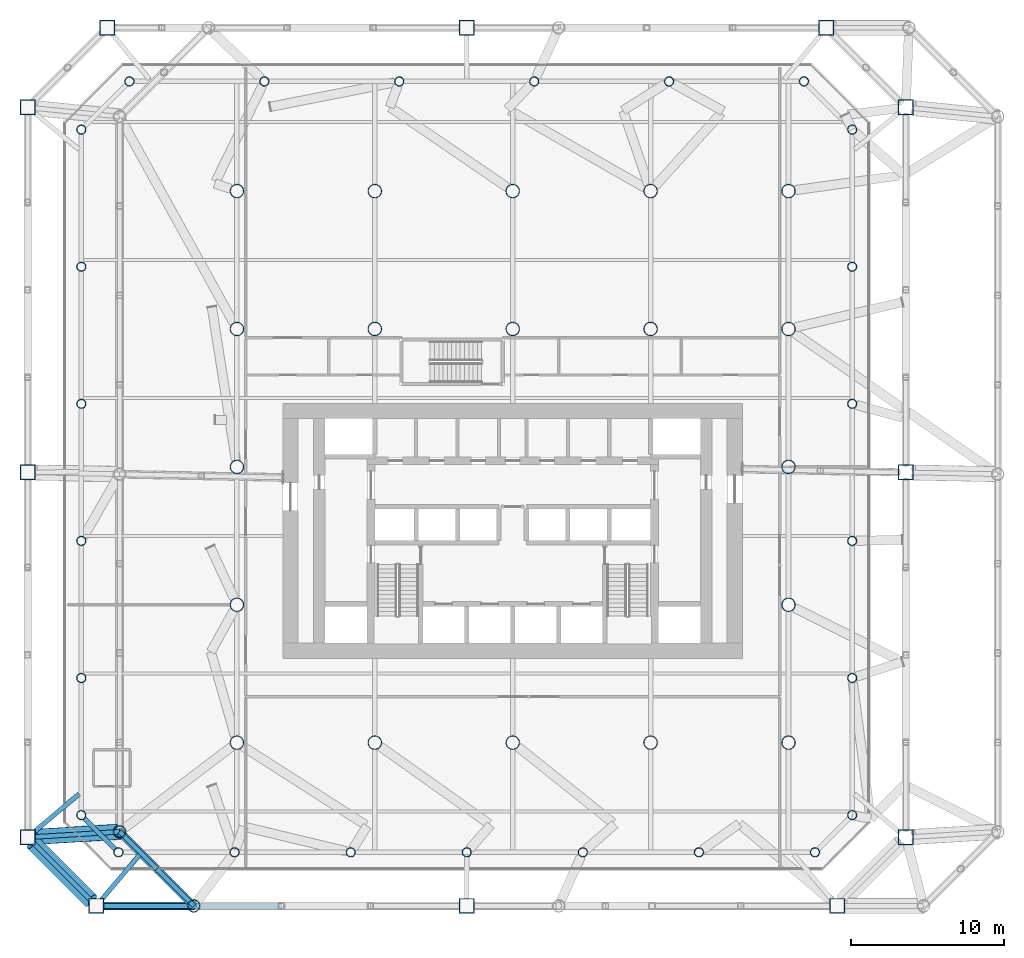
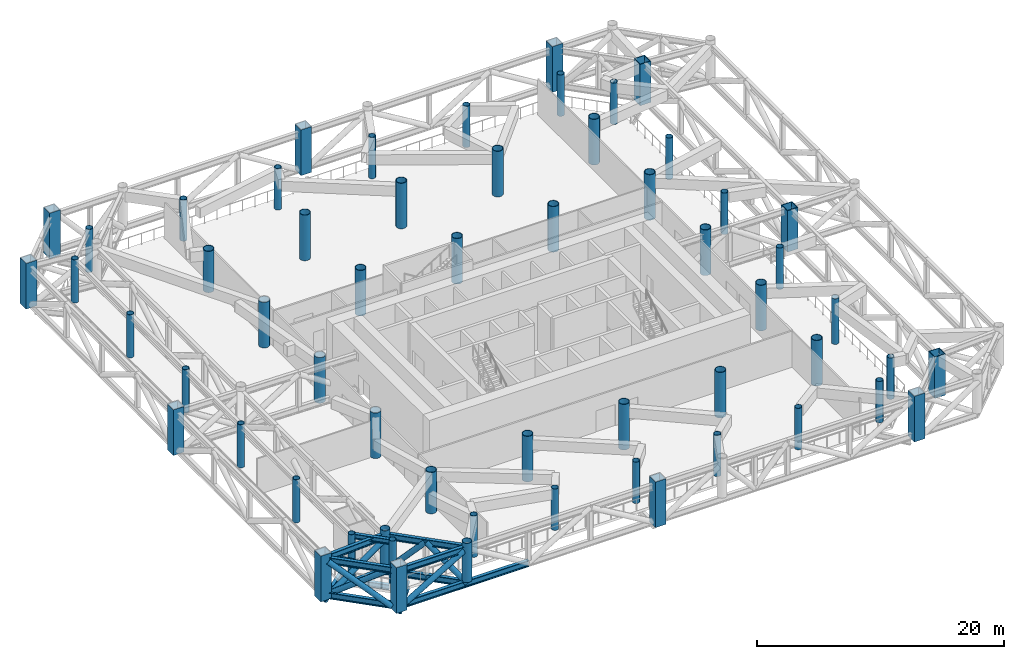
# One storey, part 1 of 22: 56 columns, 14 beams, 9 members.
"""IFC4 building model written with IfcOpenShell, lengths in metres."""

from ifc_helpers import new_model, si_unit, direction, frame, origin, origin_2d, place, context, subcontext, project, spatial, hollow_rectangle, hollow_circle, i_section, extrude, material, material_profile, profile_set, type_object, element, save


model = new_model("IFC4")

# Units and contexts
model_context = context("Model", 3, precision=1e-05, world=origin(), true_north=direction((0.0, 1.0)))
body_context = subcontext(model_context, "Body", "Model", "MODEL_VIEW")
ifc_project = project(units=[si_unit("LENGTHUNIT", "METRE"), si_unit("AREAUNIT", "SQUARE_METRE"), si_unit("VOLUMEUNIT", "CUBIC_METRE"), si_unit("PLANEANGLEUNIT", "RADIAN"), si_unit("MASSUNIT", "GRAM", prefix="KILO")], contexts=[model_context])

# Site, building, storey
site_placement = place(None, origin())
site = spatial("IfcSite", under=ifc_project, at=site_placement, CompositionType="ELEMENT")
building_placement = place(site_placement, origin())
building = spatial("IfcBuilding", under=site, at=building_placement, Name="Tskaro Facet Tower", CompositionType="ELEMENT")
storey_placement = place(building_placement, frame((0.0, 0.0, 57.60009765625)))
storey = spatial("IfcBuildingStorey", under=building, at=storey_placement, Name="L13", CompositionType="ELEMENT", Elevation=57.60009765625)

# Columns
ifc_material_1 = material(Name="Steel S460M", Category="steel")
ifc_material_profile_1 = material_profile(ifc_material_1, hollow_rectangle(XDim=1.0, YDim=1.0, WallThickness=0.06005859375, at=origin_2d()), Name="BOX 1000x1000x60")
ifc_profile_set_1 = profile_set([ifc_material_profile_1], Name="Steel S460M")
column_type_1 = type_object("IfcColumnType", Name="BOX 1000x1000x60 mega column", PredefinedType="COLUMN", material=ifc_profile_set_1)
for number, where, z_axis, x_axis, name in (
    (1, (-27.179931640625, -28.658935546875, 0.0), (0.0, 0.0, 1.0), (1.0, 0.0, 0.0), "BOX 1000x1000x60 MC01/1T"),
    (2, (-3.0, -28.658935546875, 0.0), (0.0, 0.0, 1.0), (1.0, 0.0, 0.0), "BOX 1000x1000x60 MC02/1T"),
    (3, (21.179931640625, -28.658935546875, 0.0), (0.0, 0.0, 1.0), (1.0, 0.0, 0.0), "BOX 1000x1000x60 MC03/1T"),
):
    element("IfcColumn", number, at=place(storey_placement, frame(where, z_axis=z_axis, x_axis=x_axis)), inside=storey, type_object=column_type_1, Name=name, PredefinedType="COLUMN", context=body_context, shape_type="SweptSolid", body=[
        extrude(hollow_rectangle(XDim=1.0, YDim=1.0, WallThickness=0.06005859375, at=origin_2d()), origin(), (0.0, 0.0, 1.0), 4.5),
    ])
for number, where, z_axis, x_axis, name in (
    (4, (25.658935546875, -24.179931640625, 0.0), (0.0, 0.0, 1.0), (1.0, 0.0, 0.0), "BOX 1000x1000x60 MC04/1T"),
    (5, (25.658935546875, -0.35791015625, 0.0), (0.0, 0.0, 1.0), (1.0, 0.0, 0.0), "BOX 1000x1000x60 MC05/1T"),
    (6, (25.658935546875, 23.462890625, 0.0), (0.0, 0.0, 1.0), (1.0, 0.0, 0.0), "BOX 1000x1000x60 MC06/1T"),
):
    element("IfcColumn", number, at=place(storey_placement, frame(where, z_axis=z_axis, x_axis=x_axis)), inside=storey, type_object=column_type_1, Name=name, PredefinedType="COLUMN", context=body_context, shape_type="SweptSolid", body=[
        extrude(hollow_rectangle(XDim=1.0, YDim=1.0, WallThickness=0.06005859375, at=origin_2d()), origin(), (0.0, 0.0, 1.0), 4.079833984375),
    ])
for number, where, z_axis, x_axis, name in (
    (7, (20.462890625, 28.658935546875, 0.0), (0.0, 0.0, 1.0), (1.0, 0.0, 0.0), "BOX 1000x1000x60 MC07/1T"),
    (8, (-3.0, 28.658935546875, 0.0), (0.0, 0.0, 1.0), (1.0, 0.0, 0.0), "BOX 1000x1000x60 MC08/1T"),
    (9, (-26.462890625, 28.658935546875, 0.0), (0.0, 0.0, 1.0), (1.0, 0.0, 0.0), "BOX 1000x1000x60 MC09/1T"),
    (10, (-31.658935546875, 23.462890625, 0.0), (0.0, 0.0, 1.0), (1.0, 0.0, 0.0), "BOX 1000x1000x60 MC10/1T"),
    (11, (-31.658935546875, -0.35791015625, 0.0), (0.0, 0.0, 1.0), (1.0, 0.0, 0.0), "BOX 1000x1000x60 MC11/1T"),
    (12, (-31.658935546875, -24.179931640625, 0.0), (0.0, 0.0, 1.0), (1.0, 0.0, 0.0), "BOX 1000x1000x60 MC12/1T"),
):
    element("IfcColumn", number, at=place(storey_placement, frame(where, z_axis=z_axis, x_axis=x_axis)), inside=storey, type_object=column_type_1, Name=name, PredefinedType="COLUMN", context=body_context, shape_type="SweptSolid", body=[
        extrude(hollow_rectangle(XDim=1.0, YDim=1.0, WallThickness=0.06005859375, at=origin_2d()), origin(), (0.0, 0.0, 1.0), 4.5),
    ])
ifc_material_2 = material(Name="Steel S355J2H", Category="steel")
ifc_material_profile_2 = material_profile(ifc_material_2, hollow_circle(Radius=0.304931640625, WallThickness=0.030029296875, at=origin_2d()), Name="CHS 610x30")
ifc_profile_set_2 = profile_set([ifc_material_profile_2], Name="Steel S355J2H")
column_type_2 = type_object("IfcColumnType", Name="CHS 610x30 ring column", PredefinedType="COLUMN", material=ifc_profile_set_2)
column_1_placement = place(storey_placement, frame((-25.72900390625, -25.156982421875, 0.0), z_axis=(0.0, 0.0, 1.0), x_axis=(1.0, 0.0, 0.0)))
element("IfcColumn", 13, at=column_1_placement, inside=storey, type_object=column_type_2, Name="CHS 610x30 RS-1/1", PredefinedType="COLUMN", context=body_context, shape_type="SweptSolid", body=[
    extrude(hollow_circle(Radius=0.304931640625, WallThickness=0.030029296875, at=origin_2d()), origin(), (0.0, 0.0, 1.0), 4.25),
])
for number, where, z_axis, x_axis, name in (
    (14, (-18.153076171875, -25.156982421875, 0.0), (0.0, 0.0, 1.0), (1.0, 0.0, 0.0), "CHS 610x30 RS-2/1"),
    (15, (-10.575927734375, -25.156982421875, 0.0), (0.0, 0.0, 1.0), (1.0, 0.0, 0.0), "CHS 610x30 RS-3/1"),
    (16, (-3.0, -25.156982421875, 0.0), (0.0, 0.0, 1.0), (1.0, 0.0, 0.0), "CHS 610x30 RS-4/1"),
    (17, (4.575927734375, -25.156982421875, 0.0), (0.0, 0.0, 1.0), (1.0, 0.0, 0.0), "CHS 610x30 RS-5/1"),
    (18, (12.153076171875, -25.156982421875, 0.0), (0.0, 0.0, 1.0), (1.0, 0.0, 0.0), "CHS 610x30 RS-6/1"),
    (19, (19.72900390625, -25.156982421875, 0.0), (0.0, 0.0, 1.0), (1.0, 0.0, 0.0), "CHS 610x30 RSE-1/1"),
    (20, (22.156982421875, -22.72900390625, 0.0), (0.0, 0.0, 1.0), (1.0, 0.0, 0.0), "CHS 610x30 RE-1/1"),
):
    element("IfcColumn", number, at=place(storey_placement, frame(where, z_axis=z_axis, x_axis=x_axis)), inside=storey, type_object=column_type_2, Name=name, PredefinedType="COLUMN", context=body_context, shape_type="SweptSolid", body=[
        extrude(hollow_circle(Radius=0.304931640625, WallThickness=0.030029296875, at=origin_2d()), origin(), (0.0, 0.0, 1.0), 4.079833984375),
    ])
column_2_placement = place(storey_placement, frame((22.156982421875, -13.781005859375, 0.0), z_axis=(0.0, 0.0, 1.0), x_axis=(1.0, 0.0, 0.0)))
element("IfcColumn", 21, at=column_2_placement, inside=storey, type_object=column_type_2, Name="CHS 610x30 RE-2/1", PredefinedType="COLUMN", context=body_context, shape_type="SweptSolid", body=[
    extrude(hollow_circle(Radius=0.304931640625, WallThickness=0.030029296875, at=origin_2d()), origin(), (0.0, 0.0, 1.0), 4.5),
])
for number, where, z_axis, x_axis, name in (
    (22, (22.156982421875, -4.8330078125, 0.0), (0.0, 0.0, 1.0), (1.0, 0.0, 0.0), "CHS 610x30 RE-3/1"),
    (23, (22.156982421875, 4.115966796875, 0.0), (0.0, 0.0, 1.0), (1.0, 0.0, 0.0), "CHS 610x30 RE-4/1"),
    (24, (22.156982421875, 13.06396484375, 0.0), (0.0, 0.0, 1.0), (1.0, 0.0, 0.0), "CHS 610x30 RE-5/1"),
    (25, (22.156982421875, 22.011962890625, 0.0), (0.0, 0.0, 1.0), (1.0, 0.0, 0.0), "CHS 610x30 RNE-1/1"),
    (26, (19.011962890625, 25.156982421875, 0.0), (0.0, 0.0, 1.0), (1.0, 0.0, 0.0), "CHS 610x30 RN-1/1"),
    (27, (10.20703125, 25.156982421875, 0.0), (0.0, 0.0, 1.0), (1.0, 0.0, 0.0), "CHS 610x30 RN-2/1"),
    (28, (1.402099609375, 25.156982421875, 0.0), (0.0, 0.0, 1.0), (1.0, 0.0, 0.0), "CHS 610x30 RN-3/1"),
    (29, (-7.402099609375, 25.156982421875, 0.0), (0.0, 0.0, 1.0), (1.0, 0.0, 0.0), "CHS 610x30 RN-4/1"),
    (30, (-16.20703125, 25.156982421875, 0.0), (0.0, 0.0, 1.0), (1.0, 0.0, 0.0), "CHS 610x30 RN-5/1"),
):
    element("IfcColumn", number, at=place(storey_placement, frame(where, z_axis=z_axis, x_axis=x_axis)), inside=storey, type_object=column_type_2, Name=name, PredefinedType="COLUMN", context=body_context, shape_type="SweptSolid", body=[
        extrude(hollow_circle(Radius=0.304931640625, WallThickness=0.030029296875, at=origin_2d()), origin(), (0.0, 0.0, 1.0), 4.079833984375),
    ])
for number, where, z_axis, x_axis, name in (
    (31, (-25.011962890625, 25.156982421875, 0.0), (0.0, 0.0, 1.0), (1.0, 0.0, 0.0), "CHS 610x30 RNW-1/1"),
    (32, (-28.156982421875, 22.011962890625, 0.0), (0.0, 0.0, 1.0), (1.0, 0.0, 0.0), "CHS 610x30 RW-1/1"),
    (33, (-28.156982421875, 13.06396484375, 0.0), (0.0, 0.0, 1.0), (1.0, 0.0, 0.0), "CHS 610x30 RW-2/1"),
    (34, (-28.156982421875, 4.115966796875, 0.0), (0.0, 0.0, 1.0), (1.0, 0.0, 0.0), "CHS 610x30 RW-3/1"),
    (35, (-28.156982421875, -4.8330078125, 0.0), (0.0, 0.0, 1.0), (1.0, 0.0, 0.0), "CHS 610x30 RW-4/1"),
    (36, (-28.156982421875, -13.781005859375, 0.0), (0.0, 0.0, 1.0), (1.0, 0.0, 0.0), "CHS 610x30 RW-5/1"),
    (37, (-28.156982421875, -22.72900390625, 0.0), (0.0, 0.0, 1.0), (1.0, 0.0, 0.0), "CHS 610x30 RSW-1/1"),
):
    element("IfcColumn", number, at=place(storey_placement, frame(where, z_axis=z_axis, x_axis=x_axis)), inside=storey, type_object=column_type_2, Name=name, PredefinedType="COLUMN", context=body_context, shape_type="SweptSolid", body=[
        extrude(hollow_circle(Radius=0.304931640625, WallThickness=0.030029296875, at=origin_2d()), origin(), (0.0, 0.0, 1.0), 4.25),
    ])
ifc_material_profile_3 = material_profile(ifc_material_2, hollow_circle(Radius=0.457275390625, WallThickness=0.050048828125, at=origin_2d()), Name="CHS 914.4x50")
ifc_profile_set_3 = profile_set([ifc_material_profile_3], Name="Steel S355J2H")
column_type_3 = type_object("IfcColumnType", Name="CHS 914.4x50 interior column", PredefinedType="COLUMN", material=ifc_profile_set_3)
column_3_placement = place(storey_placement, frame((-18.0, -18.0, 0.0), z_axis=(0.0, 0.0, 1.0), x_axis=(1.0, 0.0, 0.0)))
element("IfcColumn", 38, at=column_3_placement, inside=storey, type_object=column_type_3, Name="CHS 914.4x50 C2B/1", PredefinedType="COLUMN", context=body_context, shape_type="SweptSolid", body=[
    extrude(hollow_circle(Radius=0.457275390625, WallThickness=0.050048828125, at=origin_2d()), origin(), (0.0, 0.0, 1.0), 4.079833984375),
])
for number, where, z_axis, x_axis, name in (
    (39, (-18.0, -9.0, 0.0), (0.0, 0.0, 1.0), (1.0, 0.0, 0.0), "CHS 914.4x50 C2C/1"),
    (40, (-18.0, 0.0, 0.0), (0.0, 0.0, 1.0), (1.0, 0.0, 0.0), "CHS 914.4x50 C2D/1"),
    (41, (-18.0, 9.0, 0.0), (0.0, 0.0, 1.0), (1.0, 0.0, 0.0), "CHS 914.4x50 C2E/1"),
):
    element("IfcColumn", number, at=place(storey_placement, frame(where, z_axis=z_axis, x_axis=x_axis)), inside=storey, type_object=column_type_3, Name=name, PredefinedType="COLUMN", context=body_context, shape_type="SweptSolid", body=[
        extrude(hollow_circle(Radius=0.457275390625, WallThickness=0.050048828125, at=origin_2d()), origin(), (0.0, 0.0, 1.0), 4.5),
    ])
column_4_placement = place(storey_placement, frame((-18.0, 18.0, 0.0), z_axis=(0.0, 0.0, 1.0), x_axis=(1.0, 0.0, 0.0)))
element("IfcColumn", 42, at=column_4_placement, inside=storey, type_object=column_type_3, Name="CHS 914.4x50 C2F/1", PredefinedType="COLUMN", context=body_context, shape_type="SweptSolid", body=[
    extrude(hollow_circle(Radius=0.457275390625, WallThickness=0.050048828125, at=origin_2d()), origin(), (0.0, 0.0, 1.0), 4.079833984375),
])
for number, where, z_axis, x_axis, name in (
    (43, (-9.0, -18.0, 0.0), (0.0, 0.0, 1.0), (1.0, 0.0, 0.0), "CHS 914.4x50 C3B/1"),
    (44, (-9.0, 9.0, 0.0), (0.0, 0.0, 1.0), (1.0, 0.0, 0.0), "CHS 914.4x50 C3E/1"),
    (45, (-9.0, 18.0, 0.0), (0.0, 0.0, 1.0), (1.0, 0.0, 0.0), "CHS 914.4x50 C3F/1"),
    (46, (0.0, -18.0, 0.0), (0.0, 0.0, 1.0), (1.0, 0.0, 0.0), "CHS 914.4x50 C4B/1"),
    (47, (0.0, 9.0, 0.0), (0.0, 0.0, 1.0), (1.0, 0.0, 0.0), "CHS 914.4x50 C4E/1"),
    (48, (0.0, 18.0, 0.0), (0.0, 0.0, 1.0), (1.0, 0.0, 0.0), "CHS 914.4x50 C4F/1"),
    (49, (9.0, -18.0, 0.0), (0.0, 0.0, 1.0), (1.0, 0.0, 0.0), "CHS 914.4x50 C5B/1"),
    (50, (9.0, 9.0, 0.0), (0.0, 0.0, 1.0), (1.0, 0.0, 0.0), "CHS 914.4x50 C5E/1"),
    (51, (9.0, 18.0, 0.0), (0.0, 0.0, 1.0), (1.0, 0.0, 0.0), "CHS 914.4x50 C5F/1"),
    (52, (18.0, -18.0, 0.0), (0.0, 0.0, 1.0), (1.0, 0.0, 0.0), "CHS 914.4x50 C6B/1"),
    (53, (18.0, -9.0, 0.0), (0.0, 0.0, 1.0), (1.0, 0.0, 0.0), "CHS 914.4x50 C6C/1"),
    (54, (18.0, 0.0, 0.0), (0.0, 0.0, 1.0), (1.0, 0.0, 0.0), "CHS 914.4x50 C6D/1"),
    (55, (18.0, 9.0, 0.0), (0.0, 0.0, 1.0), (1.0, 0.0, 0.0), "CHS 914.4x50 C6E/1"),
    (56, (18.0, 18.0, 0.0), (0.0, 0.0, 1.0), (1.0, 0.0, 0.0), "CHS 914.4x50 C6F/1"),
):
    element("IfcColumn", number, at=place(storey_placement, frame(where, z_axis=z_axis, x_axis=x_axis)), inside=storey, type_object=column_type_3, Name=name, PredefinedType="COLUMN", context=body_context, shape_type="SweptSolid", body=[
        extrude(hollow_circle(Radius=0.457275390625, WallThickness=0.050048828125, at=origin_2d()), origin(), (0.0, 0.0, 1.0), 4.5),
    ])

# Members
ifc_material_profile_4 = material_profile(ifc_material_2, hollow_circle(Radius=0.25390625, WallThickness=0.02490234375, at=origin_2d()), Name="CHS 508x25")
ifc_profile_set_4 = profile_set([ifc_material_profile_4], Name="Steel S355J2H")
member_type_1 = type_object("IfcMemberType", Name="CHS 508x25 belt diagonal", PredefinedType="BRACE", material=ifc_profile_set_4)
member_1_placement = place(storey_placement, frame((-26.679931640625, -28.658935546875, 0.309814453125), z_axis=(0.861241166206, 0.0, 0.508196471487), x_axis=(0.0, 1.0, 0.0)))
element("IfcMember", 57, at=member_1_placement, inside=storey, type_object=member_type_1, Name="CHS 508x25 BD1-011", PredefinedType="BRACE", context=body_context, shape_type="SweptSolid", body=[
    extrude(hollow_circle(Radius=0.25390625, WallThickness=0.02490234375, at=origin_2d()), origin(), (0.0, 0.0, 1.0), 6.808837890625),
])
member_2_placement = place(storey_placement, frame((-31.125732421875, -24.35400390625, 0.309814453125), z_axis=(0.593220288147, -0.593220288147, 0.544223648385), x_axis=(0.707106781187, 0.707106781187, 0.0)))
element("IfcMember", 58, at=member_2_placement, inside=storey, type_object=member_type_1, Name="CHS 508x25 BD1-121", PredefinedType="BRACE", context=body_context, shape_type="SweptSolid", body=[
    extrude(hollow_circle(Radius=0.25390625, WallThickness=0.02490234375, at=origin_2d()), origin(), (0.0, 0.0, 1.0), 6.358154296875),
])
member_3_placement = place(storey_placement, frame((-31.485107421875, -24.713134765625, 3.77001953125), z_axis=(0.593231660249, -0.593231660249, -0.54419885571), x_axis=(0.707106781187, 0.707106781187, 0.0)))
element("IfcMember", 59, at=member_3_placement, inside=storey, type_object=member_type_1, Name="CHS 508x25 BD1-122", PredefinedType="BRACE", context=body_context, shape_type="SweptSolid", body=[
    extrude(hollow_circle(Radius=0.25390625, WallThickness=0.02490234375, at=origin_2d()), origin(), (0.0, 0.0, 1.0), 6.3583984375),
])
for number, where, z_axis, x_axis, name in (
    (60, (-25.658935546875, -23.81591796875, 0.309814453125), (0.497377406925, -0.497427555887, 0.710761241011), (0.707142426141, 0.707071134435, 0.0), "CHS 508x25 TB1-12-D1"),
    (61, (-23.237548828125, -26.237548828125, 3.77001953125), (0.497427555887, -0.497377406925, -0.710761241011), (0.707071134435, 0.707142426141, 0.0), "CHS 508x25 TB1-12-D2"),
):
    element("IfcMember", number, at=place(storey_placement, frame(where, z_axis=z_axis, x_axis=x_axis)), inside=storey, type_object=member_type_1, Name=name, PredefinedType="BRACE", context=body_context, shape_type="SweptSolid", body=[
        extrude(hollow_circle(Radius=0.25390625, WallThickness=0.02490234375, at=origin_2d()), origin(), (0.0, 0.0, 1.0), 4.868408203125),
    ])
for number, where, z_axis, x_axis, name in (
    (62, (-31.14453125, -24.4033203125, 0.309814453125), (0.845352775917, 0.051286936121, 0.531740852702), (-0.060557923136, 0.998164684782, 0.0), "CHS 508x25 TL1-12A-D1"),
    (63, (-31.17529296875, -23.896240234375, 3.77001953125), (0.845352775917, 0.051286936121, -0.531740852702), (-0.060557923136, 0.998164684782, 0.0), "CHS 508x25 TL1-12A-D2"),
):
    element("IfcMember", number, at=place(storey_placement, frame(where, z_axis=z_axis, x_axis=x_axis)), inside=storey, type_object=member_type_1, Name=name, PredefinedType="BRACE", context=body_context, shape_type="SweptSolid", body=[
        extrude(hollow_circle(Radius=0.25390625, WallThickness=0.02490234375, at=origin_2d()), origin(), (0.0, 0.0, 1.0), 6.50732421875),
    ])
ifc_material_profile_5 = material_profile(ifc_material_2, hollow_circle(Radius=0.406494140625, WallThickness=0.035888671875, at=origin_2d()), Name="CHS 812.8x36")
ifc_profile_set_5 = profile_set([ifc_material_profile_5], Name="Steel S355J2H")
member_type_2 = type_object("IfcMemberType", Name="CHS 812.8x36 transfer node post", PredefinedType="POST", material=ifc_profile_set_5)
for number, where, z_axis, x_axis, name in (
    (64, (-20.81591796875, -28.658935546875, 0.619873046875), (0.0, 0.0, 1.0), (1.0, 0.0, 0.0), "CHS 812.8x36 TN1-01"),
    (65, (-25.658935546875, -23.81591796875, 0.619873046875), (0.0, 0.0, 1.0), (1.0, 0.0, 0.0), "CHS 812.8x36 TN1-12"),
):
    element("IfcMember", number, at=place(storey_placement, frame(where, z_axis=z_axis, x_axis=x_axis)), inside=storey, type_object=member_type_2, Name=name, PredefinedType="POST", context=body_context, shape_type="SweptSolid", body=[
        extrude(hollow_circle(Radius=0.406494140625, WallThickness=0.035888671875, at=origin_2d()), origin(), (0.0, 0.0, 1.0), 3.880126953125),
    ])

# Beams
ifc_material_3 = material(Name="Steel S355J2", Category="steel")
ifc_material_profile_6 = material_profile(ifc_material_3, i_section(OverallWidth=0.300048828125, OverallDepth=0.5, WebThickness=0.014404296875, FlangeThickness=0.028076171875, FilletRadius=0.027099609375, at=origin_2d()), Name="HE 500 B")
ifc_profile_set_6 = profile_set([ifc_material_profile_6], Name="Steel S355J2")
beam_type_1 = type_object("IfcBeamType", Name="HE 500 B ring beam", PredefinedType="BEAM", material=ifc_profile_set_6)
for number, where, z_axis, x_axis, name in (
    (66, (-27.962646484375, -22.92333984375, -0.5), (0.707106781187, -0.707106781187, 0.0), (0.707106781187, 0.707106781187, 0.0), "HE 500 B EB25-1"),
    (67, (-27.962646484375, -22.92333984375, 4.0), (0.707106781187, -0.707106781187, 0.0), (0.707106781187, 0.707106781187, 0.0), "HE 500 B EB25-1R"),
):
    element("IfcBeam", number, at=place(storey_placement, frame(where, z_axis=z_axis, x_axis=x_axis)), inside=storey, type_object=beam_type_1, Name=name, PredefinedType="BEAM", context=body_context, shape_type="SweptSolid", body=[
        extrude(i_section(OverallWidth=0.300048828125, OverallDepth=0.5, WebThickness=0.014404296875, FlangeThickness=0.028076171875, FilletRadius=0.027099609375, at=origin_2d()), origin(), (0.0, 0.0, 1.0), 2.884033203125),
    ])
ifc_material_profile_7 = material_profile(ifc_material_3, i_section(OverallWidth=0.300048828125, OverallDepth=0.60009765625, WebThickness=0.015380859375, FlangeThickness=0.030029296875, FilletRadius=0.027099609375, at=origin_2d()), Name="HE 600 B")
ifc_profile_set_7 = profile_set([ifc_material_profile_7], Name="Steel S355J2")
beam_type_2 = type_object("IfcBeamType", Name="HE 600 B floor strut", PredefinedType="BEAM", material=ifc_profile_set_7)
beam_1_placement = place(storey_placement, frame((-26.857421875, -28.277099609375, -0.550048828125), z_axis=(0.645345332126, 0.763890962313, 0.0), x_axis=(-0.763890962313, 0.645345332126, 0.0)))
element("IfcBeam", 68, at=beam_1_placement, inside=storey, type_object=beam_type_2, Name="HE 600 B ES1-01", PredefinedType="BEAM", context=body_context, shape_type="SweptSolid", body=[
    extrude(i_section(OverallWidth=0.300048828125, OverallDepth=0.60009765625, WebThickness=0.015380859375, FlangeThickness=0.030029296875, FilletRadius=0.027099609375, at=origin_2d()), origin(), (0.0, 0.0, 1.0), 3.88818359375),
])
beam_2_placement = place(storey_placement, frame((-31.276611328125, -23.85791015625, -0.550048828125), z_axis=(0.764829666553, 0.64423255208, 0.0), x_axis=(-0.64423255208, 0.764829666553, 0.0)))
element("IfcBeam", 69, at=beam_2_placement, inside=storey, type_object=beam_type_2, Name="HE 600 B ES1-12", PredefinedType="BEAM", context=body_context, shape_type="SweptSolid", body=[
    extrude(i_section(OverallWidth=0.300048828125, OverallDepth=0.60009765625, WebThickness=0.015380859375, FlangeThickness=0.030029296875, FilletRadius=0.027099609375, at=origin_2d()), origin(), (0.0, 0.0, 1.0), 3.8828125),
])
ifc_material_profile_8 = material_profile(ifc_material_3, i_section(OverallWidth=0.304931640625, OverallDepth=0.6201171875, WebThickness=0.02099609375, FlangeThickness=0.0400390625, FilletRadius=0.027099609375, at=origin_2d()), Name="HE 600 M")
ifc_profile_set_8 = profile_set([ifc_material_profile_8], Name="Steel S355J2")
beam_type_3 = type_object("IfcBeamType", Name="HE 600 M belt chord", PredefinedType="BEAM", material=ifc_profile_set_8)
beam_3_placement = place(storey_placement, frame((-26.679931640625, -28.658935546875, 3.77001953125), z_axis=(1.0, 0.0, 0.0), x_axis=(0.0, 1.0, 0.0)))
element("IfcBeam", 70, at=beam_3_placement, inside=storey, type_object=beam_type_3, Name="HE 600 M BT1-01T1", PredefinedType="BEAM", context=body_context, shape_type="SweptSolid", body=[
    extrude(i_section(OverallWidth=0.304931640625, OverallDepth=0.6201171875, WebThickness=0.02099609375, FlangeThickness=0.0400390625, FilletRadius=0.027099609375, at=origin_2d()), origin(), (0.0, 0.0, 1.0), 5.864013671875),
])
beam_4_placement = place(storey_placement, frame((-26.679931640625, -28.658935546875, 0.309814453125), z_axis=(1.0, 0.0, 0.0), x_axis=(0.0, 1.0, 0.0)))
element("IfcBeam", 71, at=beam_4_placement, inside=storey, type_object=beam_type_3, Name="HE 600 M BT1-01B1", PredefinedType="BEAM", context=body_context, shape_type="SweptSolid", body=[
    extrude(i_section(OverallWidth=0.304931640625, OverallDepth=0.6201171875, WebThickness=0.02099609375, FlangeThickness=0.0400390625, FilletRadius=0.027099609375, at=origin_2d()), origin(), (0.0, 0.0, 1.0), 11.58984375),
])
for number, where, z_axis, x_axis, name in (
    (72, (-31.305419921875, -24.533447265625, 3.77001953125), (0.707106781187, -0.707106781187, 0.0), (0.707106781187, 0.707106781187, 0.0), "HE 600 M BT1-12T1"),
    (73, (-31.305419921875, -24.533447265625, 0.309814453125), (0.707106781187, -0.707106781187, 0.0), (0.707106781187, 0.707106781187, 0.0), "HE 600 M BT1-12B1"),
):
    element("IfcBeam", number, at=place(storey_placement, frame(where, z_axis=z_axis, x_axis=x_axis)), inside=storey, type_object=beam_type_3, Name=name, PredefinedType="BEAM", context=body_context, shape_type="SweptSolid", body=[
        extrude(i_section(OverallWidth=0.304931640625, OverallDepth=0.6201171875, WebThickness=0.02099609375, FlangeThickness=0.0400390625, FilletRadius=0.027099609375, at=origin_2d()), origin(), (0.0, 0.0, 1.0), 5.33447265625),
    ])
for number, where, z_axis, x_axis, name in (
    (74, (-25.658935546875, -23.81591796875, 3.77001953125), (0.707071134435, -0.707142426141, 0.0), (0.707142426141, 0.707071134435, 0.0), "HE 600 M TB1-12-T1"),
    (75, (-25.658935546875, -23.81591796875, 0.309814453125), (0.707071134435, -0.707142426141, 0.0), (0.707142426141, 0.707071134435, 0.0), "HE 600 M TB1-12-B1"),
    (76, (-23.237548828125, -26.237548828125, 3.77001953125), (0.707142426141, -0.707071134435, 0.0), (0.707071134435, 0.707142426141, 0.0), "HE 600 M TB1-12-T2"),
    (77, (-23.237548828125, -26.237548828125, 0.309814453125), (0.707142426141, -0.707071134435, 0.0), (0.707071134435, 0.707142426141, 0.0), "HE 600 M TB1-12-B2"),
):
    element("IfcBeam", number, at=place(storey_placement, frame(where, z_axis=z_axis, x_axis=x_axis)), inside=storey, type_object=beam_type_3, Name=name, PredefinedType="BEAM", context=body_context, shape_type="SweptSolid", body=[
        extrude(i_section(OverallWidth=0.304931640625, OverallDepth=0.6201171875, WebThickness=0.02099609375, FlangeThickness=0.0400390625, FilletRadius=0.027099609375, at=origin_2d()), origin(), (0.0, 0.0, 1.0), 3.424560546875),
    ])
for number, where, z_axis, x_axis, name in (
    (78, (-31.159912109375, -24.149658203125, 3.77001953125), (0.998164684782, 0.060557923136, 0.0), (-0.060557923136, 0.998164684782, 0.0), "HE 600 M TL1-12A-T1"),
    (79, (-31.159912109375, -24.149658203125, 0.309814453125), (0.998164684782, 0.060557923136, 0.0), (-0.060557923136, 0.998164684782, 0.0), "HE 600 M TL1-12A-B1"),
):
    element("IfcBeam", number, at=place(storey_placement, frame(where, z_axis=z_axis, x_axis=x_axis)), inside=storey, type_object=beam_type_3, Name=name, PredefinedType="BEAM", context=body_context, shape_type="SweptSolid", body=[
        extrude(i_section(OverallWidth=0.304931640625, OverallDepth=0.6201171875, WebThickness=0.02099609375, FlangeThickness=0.0400390625, FilletRadius=0.027099609375, at=origin_2d()), origin(), (0.0, 0.0, 1.0), 5.510986328125),
    ])

save(model, "model.ifc")
